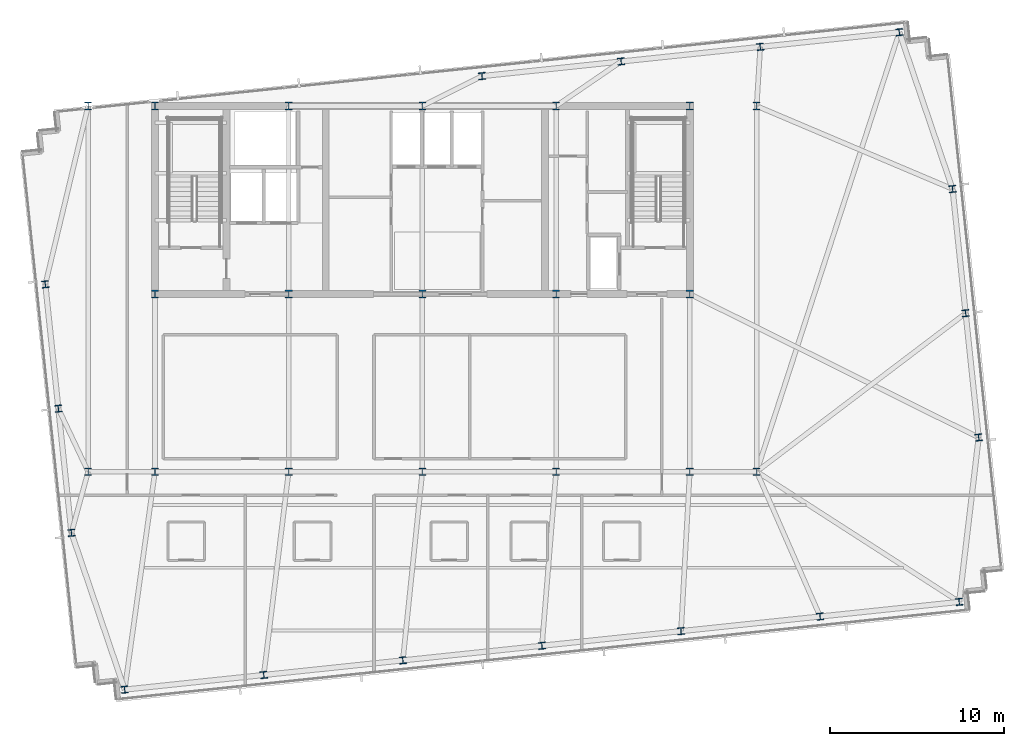
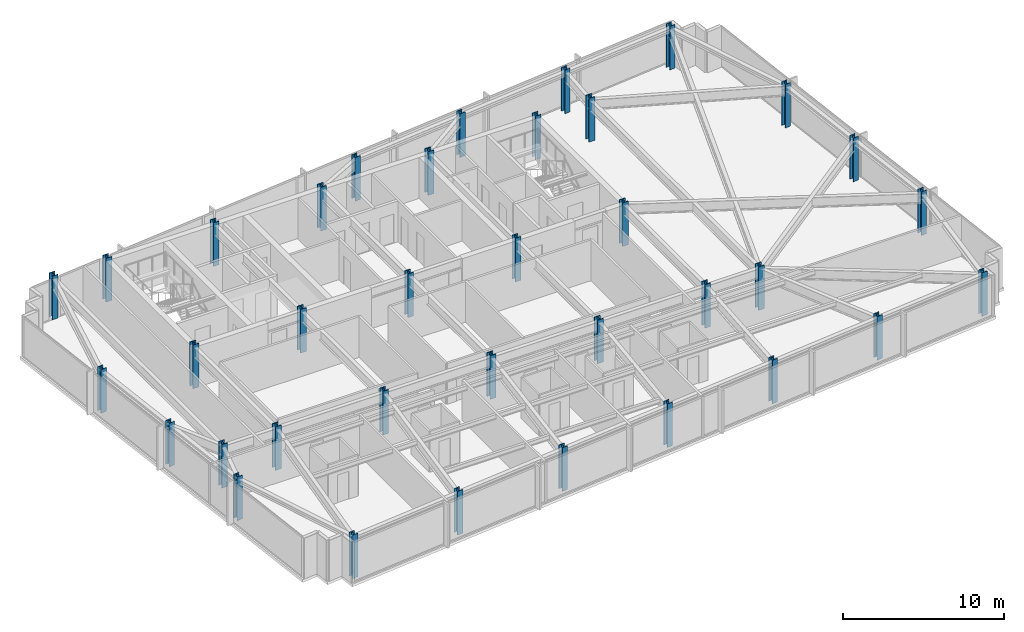
# One storey, part 1 of 33: 36 columns.
"""IFC4 building model written with IfcOpenShell, lengths in metres."""

from ifc_helpers import new_model, si_unit, direction, frame, origin, origin_2d, place, context, subcontext, project, spatial, i_section, extrude, material, material_profile, profile_set, type_object, element, save


model = new_model("IFC4")

# Units and contexts
model_context = context("Model", 3, precision=1e-05, world=origin(), true_north=direction((0.0, 1.0)))
body_context = subcontext(model_context, "Body", "Model", "MODEL_VIEW")
ifc_project = project(units=[si_unit("LENGTHUNIT", "METRE"), si_unit("AREAUNIT", "SQUARE_METRE"), si_unit("VOLUMEUNIT", "CUBIC_METRE"), si_unit("PLANEANGLEUNIT", "RADIAN"), si_unit("MASSUNIT", "GRAM", prefix="KILO")], contexts=[model_context])

# Site, building, storey
site_placement = place(None, origin())
site = spatial("IfcSite", under=ifc_project, at=site_placement, CompositionType="ELEMENT")
building_placement = place(site_placement, origin())
building = spatial("IfcBuilding", under=site, at=building_placement, Name="Yelkora Congress Tower", CompositionType="ELEMENT")
storey_placement = place(building_placement, frame((0.0, 0.0, 221.0)))
storey = spatial("IfcBuildingStorey", under=building, at=storey_placement, Name="L61", CompositionType="ELEMENT", Elevation=221.0)

# Columns
ifc_material_1 = material(Name="Steel S355J2", Category="steel")
ifc_material_profile_1 = material_profile(ifc_material_1, i_section(OverallWidth=0.40087890625, OverallDepth=0.39892578125, WebThickness=0.02490234375, FlangeThickness=0.03955078125, FilletRadius=0.014892578125, at=origin_2d()), Name="HD 400x314")
ifc_profile_set_1 = profile_set([ifc_material_profile_1], Name="Steel S355J2")
column_type_1 = type_object("IfcColumnType", Name="COL-HD-314-EXT", PredefinedType="COLUMN", material=ifc_profile_set_1)
for number, where, z_axis, x_axis, name in (
    (1, (21.299072265625, 12.678466796875, 0.0), (0.0, 0.0, 1.0), (0.994521895368, 0.104528463268, 0.0), "L61 Perimeter Column S01"),
    (2, (29.288330078125, 13.518310546875, 0.0), (0.0, 0.0, 1.0), (0.994521895368, 0.104528463268, 0.0), "L61 Perimeter Column S02"),
    (3, (37.277587890625, 14.35791015625, 0.0), (0.0, 0.0, 1.0), (0.994521895368, 0.104528463268, 0.0), "L61 Perimeter Column S03"),
    (4, (45.26708984375, 15.197509765625, 0.0), (0.0, 0.0, 1.0), (0.994521895368, 0.104528463268, 0.0), "L61 Perimeter Column S04"),
    (5, (53.25634765625, 16.037353515625, 0.0), (0.0, 0.0, 1.0), (0.994521895368, 0.104528463268, 0.0), "L61 Perimeter Column S05"),
    (6, (61.24560546875, 16.877197265625, 0.0), (0.0, 0.0, 1.0), (0.994521895368, 0.104528463268, 0.0), "L61 Perimeter Column S06"),
    (7, (69.235107421875, 17.716796875, 0.0), (0.0, 0.0, 1.0), (0.994521895368, 0.104528463268, 0.0), "L61 Perimeter Column S07"),
    (8, (41.828125, 47.91748046875, 0.0), (0.0, 0.0, 1.0), (0.994521895368, 0.104528463268, 0.0), "L61 Perimeter Column N04"),
    (9, (49.8173828125, 48.757080078125, 0.0), (0.0, 0.0, 1.0), (0.994521895368, 0.104528463268, 0.0), "L61 Perimeter Column N05"),
    (10, (57.806640625, 49.5966796875, 0.0), (0.0, 0.0, 1.0), (0.994521895368, 0.104528463268, 0.0), "L61 Perimeter Column N06"),
    (11, (65.7958984375, 50.4365234375, 0.0), (0.0, 0.0, 1.0), (0.994521895368, 0.104528463268, 0.0), "L61 Perimeter Column N07"),
    (12, (18.2412109375, 21.68310546875, 0.0), (0.0, 0.0, 1.0), (0.994521895368, 0.104528463268, 0.0), "L61 Perimeter Column W01"),
    (13, (70.35400390625, 27.160400390625, 0.0), (0.0, 0.0, 1.0), (0.994521895368, 0.104528463268, 0.0), "L61 Perimeter Column E01"),
    (14, (17.4912109375, 28.81884765625, 0.0), (0.0, 0.0, 1.0), (0.994521895368, 0.104528463268, 0.0), "L61 Perimeter Column W02"),
    (15, (69.60400390625, 34.296142578125, 0.0), (0.0, 0.0, 1.0), (0.994521895368, 0.104528463268, 0.0), "L61 Perimeter Column E02"),
    (16, (16.7412109375, 35.95458984375, 0.0), (0.0, 0.0, 1.0), (0.994521895368, 0.104528463268, 0.0), "L61 Perimeter Column W03"),
    (17, (68.85400390625, 41.431884765625, 0.0), (0.0, 0.0, 1.0), (0.994521895368, 0.104528463268, 0.0), "L61 Perimeter Column E03"),
):
    element("IfcColumn", number, at=place(storey_placement, frame(where, z_axis=z_axis, x_axis=x_axis)), inside=storey, type_object=column_type_1, Name=name, PredefinedType="COLUMN", context=body_context, shape_type="SweptSolid", body=[
        extrude(i_section(OverallWidth=0.40087890625, OverallDepth=0.39892578125, WebThickness=0.02490234375, FlangeThickness=0.03955078125, FilletRadius=0.014892578125, at=origin_2d()), origin(), (0.0, 0.0, 1.0), 3.300048828125),
    ])
ifc_material_2 = material(Name="Steel S460M", Category="steel")
ifc_material_profile_2 = material_profile(ifc_material_2, i_section(OverallWidth=0.412109375, OverallDepth=0.43505859375, WebThickness=0.035888671875, FlangeThickness=0.05810546875, FilletRadius=0.014892578125, at=origin_2d()), Name="HD 400x463")
ifc_profile_set_2 = profile_set([ifc_material_profile_2], Name="Steel S460M")
column_type_2 = type_object("IfcColumnType", Name="COL-HD-463", PredefinedType="COLUMN", material=ifc_profile_set_2)
for number, where, z_axis, x_axis, name in (
    (18, (23.0400390625, 35.39990234375, 0.0), (0.0, 0.0, 1.0), (1.0, 0.0, 0.0), "L61 Mega Column MC-S1"),
    (19, (23.0400390625, 46.199951171875, 0.0), (0.0, 0.0, 1.0), (1.0, 0.0, 0.0), "L61 Mega Column MC-N1"),
    (20, (23.0400390625, 25.199951171875, 0.0), (0.0, 0.0, 1.0), (1.0, 0.0, 0.0), "L61 Mega Column MC-D1"),
    (21, (30.719970703125, 35.39990234375, 0.0), (0.0, 0.0, 1.0), (1.0, 0.0, 0.0), "L61 Mega Column MC-S2"),
    (22, (30.719970703125, 46.199951171875, 0.0), (0.0, 0.0, 1.0), (1.0, 0.0, 0.0), "L61 Mega Column MC-N2"),
    (23, (30.719970703125, 25.199951171875, 0.0), (0.0, 0.0, 1.0), (1.0, 0.0, 0.0), "L61 Mega Column MC-D2"),
    (24, (38.39990234375, 35.39990234375, 0.0), (0.0, 0.0, 1.0), (1.0, 0.0, 0.0), "L61 Mega Column MC-S3"),
    (25, (38.39990234375, 46.199951171875, 0.0), (0.0, 0.0, 1.0), (1.0, 0.0, 0.0), "L61 Mega Column MC-N3"),
    (26, (38.39990234375, 25.199951171875, 0.0), (0.0, 0.0, 1.0), (1.0, 0.0, 0.0), "L61 Mega Column MC-D3"),
    (27, (46.080078125, 35.39990234375, 0.0), (0.0, 0.0, 1.0), (1.0, 0.0, 0.0), "L61 Mega Column MC-S4"),
    (28, (46.080078125, 46.199951171875, 0.0), (0.0, 0.0, 1.0), (1.0, 0.0, 0.0), "L61 Mega Column MC-N4"),
    (29, (46.080078125, 25.199951171875, 0.0), (0.0, 0.0, 1.0), (1.0, 0.0, 0.0), "L61 Mega Column MC-D4"),
    (30, (53.760009765625, 35.39990234375, 0.0), (0.0, 0.0, 1.0), (1.0, 0.0, 0.0), "L61 Mega Column MC-S5"),
    (31, (53.760009765625, 46.199951171875, 0.0), (0.0, 0.0, 1.0), (1.0, 0.0, 0.0), "L61 Mega Column MC-N5"),
    (32, (53.760009765625, 25.199951171875, 0.0), (0.0, 0.0, 1.0), (1.0, 0.0, 0.0), "L61 Mega Column MC-D5"),
    (33, (19.199951171875, 25.199951171875, 0.0), (0.0, 0.0, 1.0), (1.0, 0.0, 0.0), "L61 Mega Column MC-F1"),
    (34, (57.60009765625, 25.199951171875, 0.0), (0.0, 0.0, 1.0), (1.0, 0.0, 0.0), "L61 Mega Column MC-F2"),
    (35, (19.199951171875, 46.199951171875, 0.0), (0.0, 0.0, 1.0), (1.0, 0.0, 0.0), "L61 Mega Column MC-F3"),
    (36, (57.60009765625, 46.199951171875, 0.0), (0.0, 0.0, 1.0), (1.0, 0.0, 0.0), "L61 Mega Column MC-F4"),
):
    element("IfcColumn", number, at=place(storey_placement, frame(where, z_axis=z_axis, x_axis=x_axis)), inside=storey, type_object=column_type_2, Name=name, PredefinedType="COLUMN", context=body_context, shape_type="SweptSolid", body=[
        extrude(i_section(OverallWidth=0.412109375, OverallDepth=0.43505859375, WebThickness=0.035888671875, FlangeThickness=0.05810546875, FilletRadius=0.014892578125, at=origin_2d()), origin(), (0.0, 0.0, 1.0), 3.300048828125),
    ])

save(model, "model.ifc")
